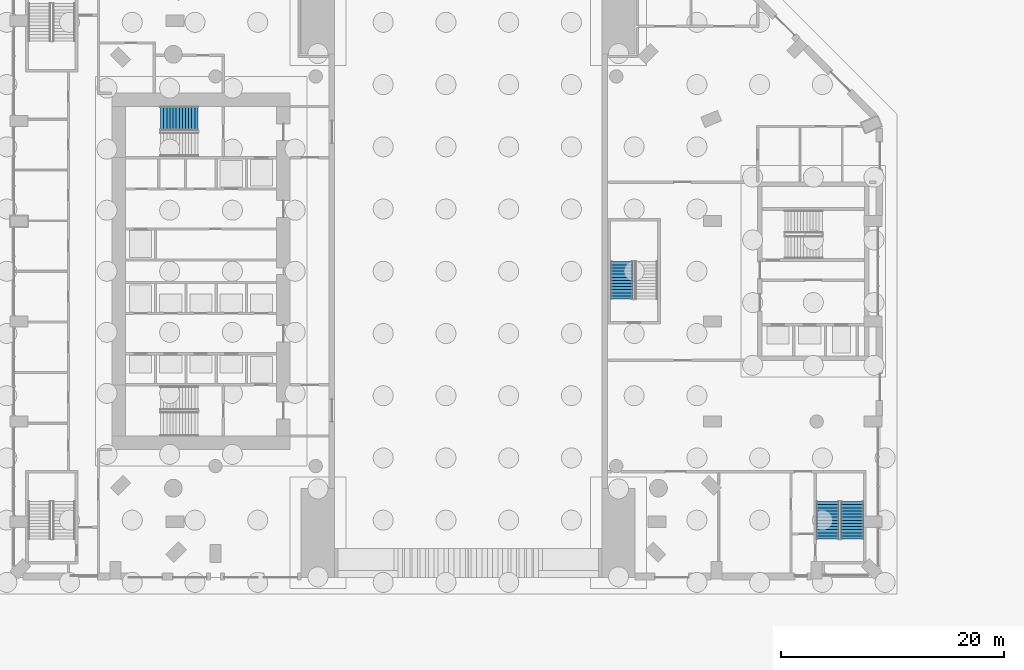
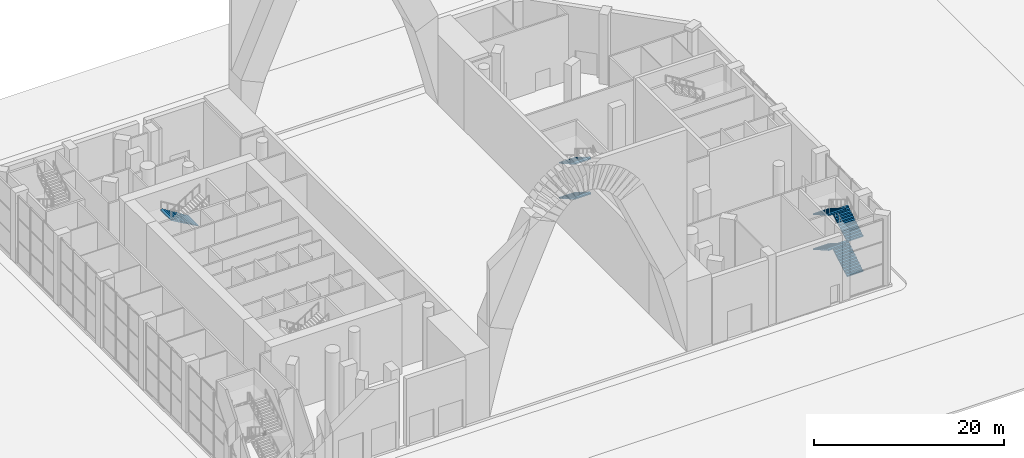
# One storey, part 17 of 25: 7 stair flights, 3 elements without a shape of their own.
"""IFC4 building model written with IfcOpenShell, lengths in metres."""

from ifc_helpers import new_model, si_unit, direction, frame, origin, place, context, subcontext, project, spatial, triangles, material, type_object, element, aggregate, save


model = new_model("IFC4")

# Units and contexts
model_context = context("Model", 3, precision=1e-05, world=origin(), true_north=direction((0.0, 1.0)))
body_context = subcontext(model_context, "Body", "Model", "MODEL_VIEW")
ifc_project = project(units=[si_unit("LENGTHUNIT", "METRE"), si_unit("AREAUNIT", "SQUARE_METRE"), si_unit("VOLUMEUNIT", "CUBIC_METRE"), si_unit("PLANEANGLEUNIT", "RADIAN"), si_unit("MASSUNIT", "GRAM", prefix="KILO")], contexts=[model_context])

# Site, building, storey
site_placement = place(None, origin())
site = spatial("IfcSite", under=ifc_project, at=site_placement, CompositionType="ELEMENT")
building_placement = place(site_placement, origin())
building = spatial("IfcBuilding", under=site, at=building_placement, Name="Cypress Arch Tower", CompositionType="ELEMENT")
storey_placement = place(building_placement, origin())
storey = spatial("IfcBuildingStorey", under=building, at=storey_placement, Name="L00", CompositionType="ELEMENT", Elevation=0.0)

# Stair, stair flights
ifc_material_1 = material(Name="Concrete C40/50", Category="concrete")
stair_type_1 = type_object("IfcStairType", Name="Exit stair ES1731-200", PredefinedType="HALF_TURN_STAIR", material=ifc_material_1)
stair_1_placement = place(storey_placement, origin())
stair_1 = element("IfcStair", 1, at=stair_1_placement, inside=storey, type_object=stair_type_1, Name="L00 Exit stair C", PredefinedType="HALF_TURN_STAIR")
ifc_material_2 = material(Name="Concrete C40/50", Category="concrete")
stair_flight_type_1 = type_object("IfcStairFlightType", Name="Exit stair flight ES1731-200", PredefinedType="STRAIGHT", material=ifc_material_2)
stair_flight_1_placement = place(storey_placement, frame((15.800048828125, 0.860107421875, 2.25), z_axis=(0.0, 0.0, 1.0), x_axis=(0.0, -1.0, 0.0)))
stair_flight_1 = element("IfcStairFlight", 2, at=stair_flight_1_placement, type_object=stair_flight_type_1, Name="C flight 2", NumberOfRisers=13, NumberOfTreads=12, PredefinedType="STRAIGHT", RiserHeight=0.173076923, TreadLength=0.28, context=body_context, shape_type="Tessellation", body=[
    triangles([(0.0, -1.0, 0.0), (0.00048828125, -1.0, 0.0576171875), (0.00048828125, -1.0, 0.115478515625), (0.0, -1.0, 0.173095703125), (0.280029296875, -1.0, 0.173095703125), (0.280029296875, -1.0, 0.34619140625), (0.56005859375, -1.0, 0.34619140625), (0.56005859375, -1.0, 0.519287109375), (0.840087890625, -1.0, 0.519287109375), (0.840087890625, -1.0, 0.6923828125), (1.1201171875, -1.0, 0.6923828125), (1.1201171875, -1.0, 0.865478515625), (1.39990234375, -1.0, 0.865478515625), (1.39990234375, -1.0, 1.03857421875), (1.679931640625, -1.0, 1.03857421875), (1.679931640625, -1.0, 1.21142578125), (1.9599609375, -1.0, 1.21142578125), (1.9599609375, -1.0, 1.384521484375), (2.239990234375, -1.0, 1.384521484375), (2.239990234375, -1.0, 1.5576171875), (2.52001953125, -1.0, 1.5576171875), (2.52001953125, -1.0, 1.730712890625), (2.800048828125, -1.0, 1.730712890625), (2.800048828125, -1.0, 1.90380859375), (3.080078125, -1.0, 1.90380859375), (3.080078125, -1.0, 2.076904296875), (3.360107421875, -1.0, 2.076904296875), (3.359619140625, -1.0, 2.01806640625), (3.359619140625, -1.0, 1.95947265625), (3.360107421875, -1.0, 1.900634765625), (3.360107421875, 1.0, 1.900634765625), (3.359619140625, 1.0, 1.95947265625), (3.359619140625, 1.0, 2.01806640625), (3.360107421875, 1.0, 2.076904296875), (3.080078125, 1.0, 2.076904296875), (3.080078125, 1.0, 1.90380859375), (2.800048828125, 1.0, 1.90380859375), (2.800048828125, 1.0, 1.730712890625), (2.52001953125, 1.0, 1.730712890625), (2.52001953125, 1.0, 1.5576171875), (2.239990234375, 1.0, 1.5576171875), (2.239990234375, 1.0, 1.384521484375), (1.9599609375, 1.0, 1.384521484375), (1.9599609375, 1.0, 1.21142578125), (1.679931640625, 1.0, 1.21142578125), (1.679931640625, 1.0, 1.03857421875), (1.39990234375, 1.0, 1.03857421875), (1.39990234375, 1.0, 0.865478515625), (1.1201171875, 1.0, 0.865478515625), (1.1201171875, 1.0, 0.6923828125), (0.840087890625, 1.0, 0.6923828125), (0.840087890625, 1.0, 0.519287109375), (0.56005859375, 1.0, 0.519287109375), (0.56005859375, 1.0, 0.34619140625), (0.280029296875, 1.0, 0.34619140625), (0.280029296875, 1.0, 0.173095703125), (0.0, 1.0, 0.173095703125), (0.00048828125, 1.0, 0.115478515625), (0.00048828125, 1.0, 0.0576171875), (0.0, 1.0, 0.0)], [[30, 29, 26], [29, 28, 26], [28, 27, 26], [13, 12, 11], [25, 24, 23], [23, 22, 21], [21, 20, 19], [19, 18, 17], [15, 14, 13], [11, 10, 9], [9, 8, 7], [7, 6, 5], [4, 3, 5], [3, 2, 5], [2, 1, 5], [17, 16, 15], [30, 26, 25], [30, 25, 23], [30, 23, 21], [30, 21, 19], [30, 19, 17], [1, 30, 17], [17, 15, 13], [17, 13, 11], [17, 11, 9], [17, 9, 7], [17, 7, 5], [17, 5, 1], [31, 35, 32], [32, 35, 33], [33, 35, 34], [48, 50, 49], [36, 38, 37], [38, 40, 39], [40, 42, 41], [42, 44, 43], [46, 48, 47], [50, 52, 51], [52, 54, 53], [54, 56, 55], [57, 56, 58], [58, 56, 59], [59, 56, 60], [44, 46, 45], [31, 36, 35], [31, 38, 36], [31, 40, 38], [31, 42, 40], [31, 44, 42], [60, 44, 31], [44, 48, 46], [44, 50, 48], [44, 52, 50], [44, 54, 52], [44, 56, 54], [44, 60, 56], [31, 32, 29], [31, 29, 30], [32, 33, 28], [32, 28, 29], [33, 34, 27], [33, 27, 28], [34, 35, 26], [34, 26, 27], [35, 36, 25], [35, 25, 26], [36, 37, 24], [36, 24, 25], [37, 38, 23], [37, 23, 24], [38, 39, 22], [38, 22, 23], [39, 40, 21], [39, 21, 22], [40, 41, 20], [40, 20, 21], [41, 42, 19], [41, 19, 20], [42, 43, 18], [42, 18, 19], [43, 44, 17], [43, 17, 18], [44, 45, 16], [44, 16, 17], [45, 46, 15], [45, 15, 16], [46, 47, 14], [46, 14, 15], [47, 48, 13], [47, 13, 14], [48, 49, 12], [48, 12, 13], [49, 50, 11], [49, 11, 12], [50, 51, 10], [50, 10, 11], [51, 52, 9], [51, 9, 10], [52, 53, 8], [52, 8, 9], [53, 54, 7], [53, 7, 8], [54, 55, 6], [54, 6, 7], [55, 56, 5], [55, 5, 6], [56, 57, 4], [56, 4, 5], [57, 58, 3], [57, 3, 4], [58, 59, 2], [58, 2, 3], [59, 60, 1], [59, 1, 2], [60, 31, 30], [60, 30, 1]], closed=True),
])
stair_flight_2_placement = place(storey_placement, frame((15.800048828125, 0.860107421875, 6.75), z_axis=(0.0, 0.0, 1.0), x_axis=(0.0, -1.0, 0.0)))
stair_flight_2 = element("IfcStairFlight", 3, at=stair_flight_2_placement, type_object=stair_flight_type_1, Name="C flight 4", NumberOfRisers=13, NumberOfTreads=12, PredefinedType="STRAIGHT", RiserHeight=0.173076923, TreadLength=0.28, context=body_context, shape_type="Tessellation", body=[
    triangles([(0.0, -1.0, 0.0), (0.00048828125, -1.0, 0.0576171875), (0.00048828125, -1.0, 0.115478515625), (0.0, -1.0, 0.173095703125), (0.280029296875, -1.0, 0.173095703125), (0.280029296875, -1.0, 0.34619140625), (0.56005859375, -1.0, 0.34619140625), (0.56005859375, -1.0, 0.519287109375), (0.840087890625, -1.0, 0.519287109375), (0.840087890625, -1.0, 0.6923828125), (1.1201171875, -1.0, 0.6923828125), (1.1201171875, -1.0, 0.865478515625), (1.39990234375, -1.0, 0.865478515625), (1.39990234375, -1.0, 1.03857421875), (1.679931640625, -1.0, 1.03857421875), (1.679931640625, -1.0, 1.21142578125), (1.9599609375, -1.0, 1.21142578125), (1.9599609375, -1.0, 1.384521484375), (2.239990234375, -1.0, 1.384521484375), (2.239990234375, -1.0, 1.5576171875), (2.52001953125, -1.0, 1.5576171875), (2.52001953125, -1.0, 1.730712890625), (2.800048828125, -1.0, 1.730712890625), (2.800048828125, -1.0, 1.90380859375), (3.080078125, -1.0, 1.90380859375), (3.080078125, -1.0, 2.076904296875), (3.360107421875, -1.0, 2.076904296875), (3.359619140625, -1.0, 2.01806640625), (3.359619140625, -1.0, 1.95947265625), (3.360107421875, -1.0, 1.900634765625), (3.360107421875, 1.0, 1.900634765625), (3.359619140625, 1.0, 1.95947265625), (3.359619140625, 1.0, 2.01806640625), (3.360107421875, 1.0, 2.076904296875), (3.080078125, 1.0, 2.076904296875), (3.080078125, 1.0, 1.90380859375), (2.800048828125, 1.0, 1.90380859375), (2.800048828125, 1.0, 1.730712890625), (2.52001953125, 1.0, 1.730712890625), (2.52001953125, 1.0, 1.5576171875), (2.239990234375, 1.0, 1.5576171875), (2.239990234375, 1.0, 1.384521484375), (1.9599609375, 1.0, 1.384521484375), (1.9599609375, 1.0, 1.21142578125), (1.679931640625, 1.0, 1.21142578125), (1.679931640625, 1.0, 1.03857421875), (1.39990234375, 1.0, 1.03857421875), (1.39990234375, 1.0, 0.865478515625), (1.1201171875, 1.0, 0.865478515625), (1.1201171875, 1.0, 0.6923828125), (0.840087890625, 1.0, 0.6923828125), (0.840087890625, 1.0, 0.519287109375), (0.56005859375, 1.0, 0.519287109375), (0.56005859375, 1.0, 0.34619140625), (0.280029296875, 1.0, 0.34619140625), (0.280029296875, 1.0, 0.173095703125), (0.0, 1.0, 0.173095703125), (0.00048828125, 1.0, 0.115478515625), (0.00048828125, 1.0, 0.0576171875), (0.0, 1.0, 0.0)], [[30, 29, 26], [29, 28, 26], [28, 27, 26], [13, 12, 11], [25, 24, 23], [23, 22, 21], [21, 20, 19], [19, 18, 17], [15, 14, 13], [11, 10, 9], [9, 8, 7], [7, 6, 5], [4, 3, 5], [3, 2, 5], [2, 1, 5], [17, 16, 15], [30, 26, 25], [30, 25, 23], [30, 23, 21], [30, 21, 19], [30, 19, 17], [1, 30, 17], [17, 15, 13], [17, 13, 11], [17, 11, 9], [17, 9, 7], [17, 7, 5], [17, 5, 1], [31, 35, 32], [32, 35, 33], [33, 35, 34], [48, 50, 49], [36, 38, 37], [38, 40, 39], [40, 42, 41], [42, 44, 43], [46, 48, 47], [50, 52, 51], [52, 54, 53], [54, 56, 55], [57, 56, 58], [58, 56, 59], [59, 56, 60], [44, 46, 45], [31, 36, 35], [31, 38, 36], [31, 40, 38], [31, 42, 40], [31, 44, 42], [60, 44, 31], [44, 48, 46], [44, 50, 48], [44, 52, 50], [44, 54, 52], [44, 56, 54], [44, 60, 56], [31, 32, 29], [31, 29, 30], [32, 33, 28], [32, 28, 29], [33, 34, 27], [33, 27, 28], [34, 35, 26], [34, 26, 27], [35, 36, 25], [35, 25, 26], [36, 37, 24], [36, 24, 25], [37, 38, 23], [37, 23, 24], [38, 39, 22], [38, 22, 23], [39, 40, 21], [39, 21, 22], [40, 41, 20], [40, 20, 21], [41, 42, 19], [41, 19, 20], [42, 43, 18], [42, 18, 19], [43, 44, 17], [43, 17, 18], [44, 45, 16], [44, 16, 17], [45, 46, 15], [45, 15, 16], [46, 47, 14], [46, 14, 15], [47, 48, 13], [47, 13, 14], [48, 49, 12], [48, 12, 13], [49, 50, 11], [49, 11, 12], [50, 51, 10], [50, 10, 11], [51, 52, 9], [51, 9, 10], [52, 53, 8], [52, 8, 9], [53, 54, 7], [53, 7, 8], [54, 55, 6], [54, 6, 7], [55, 56, 5], [55, 5, 6], [56, 57, 4], [56, 4, 5], [57, 58, 3], [57, 3, 4], [58, 59, 2], [58, 2, 3], [59, 60, 1], [59, 1, 2], [60, 31, 30], [60, 30, 1]], closed=True),
])
aggregate(stair_1, [stair_flight_1, stair_flight_2])

stair_2_placement = place(storey_placement, origin())
stair_2 = element("IfcStair", 4, at=stair_2_placement, inside=storey, type_object=stair_type_1, Name="L00 Exit stair P4", PredefinedType="HALF_TURN_STAIR")
stair_flight_3_placement = place(storey_placement, frame((36.5, -24.050048828125, 0.0), z_axis=(0.0, 0.0, 1.0), x_axis=(0.0, 1.0, 0.0)))
stair_flight_3 = element("IfcStairFlight", 5, at=stair_flight_3_placement, type_object=stair_flight_type_1, Name="P4 flight 1", NumberOfRisers=13, NumberOfTreads=12, PredefinedType="STRAIGHT", RiserHeight=0.173076923, TreadLength=0.28, context=body_context, shape_type="Tessellation", body=[
    triangles([(0.0, -1.0, 0.0), (0.00048828125, -1.0, 0.0576171875), (0.00048828125, -1.0, 0.115478515625), (0.0, -1.0, 0.173095703125), (0.280029296875, -1.0, 0.173095703125), (0.280029296875, -1.0, 0.34619140625), (0.56005859375, -1.0, 0.34619140625), (0.56005859375, -1.0, 0.519287109375), (0.840087890625, -1.0, 0.519287109375), (0.840087890625, -1.0, 0.6923828125), (1.1201171875, -1.0, 0.6923828125), (1.1201171875, -1.0, 0.865478515625), (1.39990234375, -1.0, 0.865478515625), (1.39990234375, -1.0, 1.03857421875), (1.679931640625, -1.0, 1.03857421875), (1.679931640625, -1.0, 1.21142578125), (1.9599609375, -1.0, 1.21142578125), (1.9599609375, -1.0, 1.384521484375), (2.239990234375, -1.0, 1.384521484375), (2.239990234375, -1.0, 1.5576171875), (2.52001953125, -1.0, 1.5576171875), (2.52001953125, -1.0, 1.730712890625), (2.800048828125, -1.0, 1.730712890625), (2.800048828125, -1.0, 1.90380859375), (3.080078125, -1.0, 1.90380859375), (3.080078125, -1.0, 2.076904296875), (3.360107421875, -1.0, 2.076904296875), (3.359619140625, -1.0, 2.01806640625), (3.359619140625, -1.0, 1.95947265625), (3.360107421875, -1.0, 1.900634765625), (3.360107421875, 1.0, 1.900634765625), (3.359619140625, 1.0, 1.95947265625), (3.359619140625, 1.0, 2.01806640625), (3.360107421875, 1.0, 2.076904296875), (3.080078125, 1.0, 2.076904296875), (3.080078125, 1.0, 1.90380859375), (2.800048828125, 1.0, 1.90380859375), (2.800048828125, 1.0, 1.730712890625), (2.52001953125, 1.0, 1.730712890625), (2.52001953125, 1.0, 1.5576171875), (2.239990234375, 1.0, 1.5576171875), (2.239990234375, 1.0, 1.384521484375), (1.9599609375, 1.0, 1.384521484375), (1.9599609375, 1.0, 1.21142578125), (1.679931640625, 1.0, 1.21142578125), (1.679931640625, 1.0, 1.03857421875), (1.39990234375, 1.0, 1.03857421875), (1.39990234375, 1.0, 0.865478515625), (1.1201171875, 1.0, 0.865478515625), (1.1201171875, 1.0, 0.6923828125), (0.840087890625, 1.0, 0.6923828125), (0.840087890625, 1.0, 0.519287109375), (0.56005859375, 1.0, 0.519287109375), (0.56005859375, 1.0, 0.34619140625), (0.280029296875, 1.0, 0.34619140625), (0.280029296875, 1.0, 0.173095703125), (0.0, 1.0, 0.173095703125), (0.00048828125, 1.0, 0.115478515625), (0.00048828125, 1.0, 0.0576171875), (0.0, 1.0, 0.0)], [[30, 29, 26], [29, 28, 26], [28, 27, 26], [13, 12, 11], [25, 24, 23], [23, 22, 21], [21, 20, 19], [19, 18, 17], [15, 14, 13], [11, 10, 9], [9, 8, 7], [7, 6, 5], [4, 3, 5], [3, 2, 5], [2, 1, 5], [17, 16, 15], [30, 26, 25], [30, 25, 23], [30, 23, 21], [30, 21, 19], [30, 19, 17], [1, 30, 17], [17, 15, 13], [17, 13, 11], [17, 11, 9], [17, 9, 7], [17, 7, 5], [17, 5, 1], [31, 35, 32], [32, 35, 33], [33, 35, 34], [48, 50, 49], [36, 38, 37], [38, 40, 39], [40, 42, 41], [42, 44, 43], [46, 48, 47], [50, 52, 51], [52, 54, 53], [54, 56, 55], [57, 56, 58], [58, 56, 59], [59, 56, 60], [44, 46, 45], [31, 36, 35], [31, 38, 36], [31, 40, 38], [31, 42, 40], [31, 44, 42], [60, 44, 31], [44, 48, 46], [44, 50, 48], [44, 52, 50], [44, 54, 52], [44, 56, 54], [44, 60, 56], [31, 32, 29], [31, 29, 30], [32, 33, 28], [32, 28, 29], [33, 34, 27], [33, 27, 28], [34, 35, 26], [34, 26, 27], [35, 36, 25], [35, 25, 26], [36, 37, 24], [36, 24, 25], [37, 38, 23], [37, 23, 24], [38, 39, 22], [38, 22, 23], [39, 40, 21], [39, 21, 22], [40, 41, 20], [40, 20, 21], [41, 42, 19], [41, 19, 20], [42, 43, 18], [42, 18, 19], [43, 44, 17], [43, 17, 18], [44, 45, 16], [44, 16, 17], [45, 46, 15], [45, 15, 16], [46, 47, 14], [46, 14, 15], [47, 48, 13], [47, 13, 14], [48, 49, 12], [48, 12, 13], [49, 50, 11], [49, 11, 12], [50, 51, 10], [50, 10, 11], [51, 52, 9], [51, 9, 10], [52, 53, 8], [52, 8, 9], [53, 54, 7], [53, 7, 8], [54, 55, 6], [54, 6, 7], [55, 56, 5], [55, 5, 6], [56, 57, 4], [56, 4, 5], [57, 58, 3], [57, 3, 4], [58, 59, 2], [58, 2, 3], [59, 60, 1], [59, 1, 2], [60, 31, 30], [60, 30, 1]], closed=True),
])
stair_flight_4_placement = place(storey_placement, frame((34.300048828125, -20.68994140625, 2.25), z_axis=(0.0, 0.0, 1.0), x_axis=(0.0, -1.0, 0.0)))
stair_flight_4 = element("IfcStairFlight", 6, at=stair_flight_4_placement, type_object=stair_flight_type_1, Name="P4 flight 2", NumberOfRisers=13, NumberOfTreads=12, PredefinedType="STRAIGHT", RiserHeight=0.173076923, TreadLength=0.28, context=body_context, shape_type="Tessellation", body=[
    triangles([(0.0, -1.0, 0.0), (0.00048828125, -1.0, 0.0576171875), (0.00048828125, -1.0, 0.115478515625), (0.0, -1.0, 0.173095703125), (0.280029296875, -1.0, 0.173095703125), (0.280029296875, -1.0, 0.34619140625), (0.56005859375, -1.0, 0.34619140625), (0.56005859375, -1.0, 0.519287109375), (0.840087890625, -1.0, 0.519287109375), (0.840087890625, -1.0, 0.6923828125), (1.1201171875, -1.0, 0.6923828125), (1.1201171875, -1.0, 0.865478515625), (1.39990234375, -1.0, 0.865478515625), (1.39990234375, -1.0, 1.03857421875), (1.679931640625, -1.0, 1.03857421875), (1.679931640625, -1.0, 1.21142578125), (1.9599609375, -1.0, 1.21142578125), (1.9599609375, -1.0, 1.384521484375), (2.239990234375, -1.0, 1.384521484375), (2.239990234375, -1.0, 1.5576171875), (2.52001953125, -1.0, 1.5576171875), (2.52001953125, -1.0, 1.730712890625), (2.800048828125, -1.0, 1.730712890625), (2.800048828125, -1.0, 1.90380859375), (3.080078125, -1.0, 1.90380859375), (3.080078125, -1.0, 2.076904296875), (3.360107421875, -1.0, 2.076904296875), (3.359619140625, -1.0, 2.01806640625), (3.359619140625, -1.0, 1.95947265625), (3.360107421875, -1.0, 1.900634765625), (3.360107421875, 1.0, 1.900634765625), (3.359619140625, 1.0, 1.95947265625), (3.359619140625, 1.0, 2.01806640625), (3.360107421875, 1.0, 2.076904296875), (3.080078125, 1.0, 2.076904296875), (3.080078125, 1.0, 1.90380859375), (2.800048828125, 1.0, 1.90380859375), (2.800048828125, 1.0, 1.730712890625), (2.52001953125, 1.0, 1.730712890625), (2.52001953125, 1.0, 1.5576171875), (2.239990234375, 1.0, 1.5576171875), (2.239990234375, 1.0, 1.384521484375), (1.9599609375, 1.0, 1.384521484375), (1.9599609375, 1.0, 1.21142578125), (1.679931640625, 1.0, 1.21142578125), (1.679931640625, 1.0, 1.03857421875), (1.39990234375, 1.0, 1.03857421875), (1.39990234375, 1.0, 0.865478515625), (1.1201171875, 1.0, 0.865478515625), (1.1201171875, 1.0, 0.6923828125), (0.840087890625, 1.0, 0.6923828125), (0.840087890625, 1.0, 0.519287109375), (0.56005859375, 1.0, 0.519287109375), (0.56005859375, 1.0, 0.34619140625), (0.280029296875, 1.0, 0.34619140625), (0.280029296875, 1.0, 0.173095703125), (0.0, 1.0, 0.173095703125), (0.00048828125, 1.0, 0.115478515625), (0.00048828125, 1.0, 0.0576171875), (0.0, 1.0, 0.0)], [[30, 29, 26], [29, 28, 26], [28, 27, 26], [13, 12, 11], [25, 24, 23], [23, 22, 21], [21, 20, 19], [19, 18, 17], [15, 14, 13], [11, 10, 9], [9, 8, 7], [7, 6, 5], [4, 3, 5], [3, 2, 5], [2, 1, 5], [17, 16, 15], [30, 26, 25], [30, 25, 23], [30, 23, 21], [30, 21, 19], [30, 19, 17], [1, 30, 17], [17, 15, 13], [17, 13, 11], [17, 11, 9], [17, 9, 7], [17, 7, 5], [17, 5, 1], [31, 35, 32], [32, 35, 33], [33, 35, 34], [48, 50, 49], [36, 38, 37], [38, 40, 39], [40, 42, 41], [42, 44, 43], [46, 48, 47], [50, 52, 51], [52, 54, 53], [54, 56, 55], [57, 56, 58], [58, 56, 59], [59, 56, 60], [44, 46, 45], [31, 36, 35], [31, 38, 36], [31, 40, 38], [31, 42, 40], [31, 44, 42], [60, 44, 31], [44, 48, 46], [44, 50, 48], [44, 52, 50], [44, 54, 52], [44, 56, 54], [44, 60, 56], [31, 32, 29], [31, 29, 30], [32, 33, 28], [32, 28, 29], [33, 34, 27], [33, 27, 28], [34, 35, 26], [34, 26, 27], [35, 36, 25], [35, 25, 26], [36, 37, 24], [36, 24, 25], [37, 38, 23], [37, 23, 24], [38, 39, 22], [38, 22, 23], [39, 40, 21], [39, 21, 22], [40, 41, 20], [40, 20, 21], [41, 42, 19], [41, 19, 20], [42, 43, 18], [42, 18, 19], [43, 44, 17], [43, 17, 18], [44, 45, 16], [44, 16, 17], [45, 46, 15], [45, 15, 16], [46, 47, 14], [46, 14, 15], [47, 48, 13], [47, 13, 14], [48, 49, 12], [48, 12, 13], [49, 50, 11], [49, 11, 12], [50, 51, 10], [50, 10, 11], [51, 52, 9], [51, 9, 10], [52, 53, 8], [52, 8, 9], [53, 54, 7], [53, 7, 8], [54, 55, 6], [54, 6, 7], [55, 56, 5], [55, 5, 6], [56, 57, 4], [56, 4, 5], [57, 58, 3], [57, 3, 4], [58, 59, 2], [58, 2, 3], [59, 60, 1], [59, 1, 2], [60, 31, 30], [60, 30, 1]], closed=True),
])
stair_flight_5_placement = place(storey_placement, frame((36.5, -24.050048828125, 4.5), z_axis=(0.0, 0.0, 1.0), x_axis=(0.0, 1.0, 0.0)))
stair_flight_5 = element("IfcStairFlight", 7, at=stair_flight_5_placement, type_object=stair_flight_type_1, Name="P4 flight 3", NumberOfRisers=13, NumberOfTreads=12, PredefinedType="STRAIGHT", RiserHeight=0.173076923, TreadLength=0.28, context=body_context, shape_type="Tessellation", body=[
    triangles([(0.0, -1.0, 0.0), (0.00048828125, -1.0, 0.0576171875), (0.00048828125, -1.0, 0.115478515625), (0.0, -1.0, 0.173095703125), (0.280029296875, -1.0, 0.173095703125), (0.280029296875, -1.0, 0.34619140625), (0.56005859375, -1.0, 0.34619140625), (0.56005859375, -1.0, 0.519287109375), (0.840087890625, -1.0, 0.519287109375), (0.840087890625, -1.0, 0.6923828125), (1.1201171875, -1.0, 0.6923828125), (1.1201171875, -1.0, 0.865478515625), (1.39990234375, -1.0, 0.865478515625), (1.39990234375, -1.0, 1.03857421875), (1.679931640625, -1.0, 1.03857421875), (1.679931640625, -1.0, 1.21142578125), (1.9599609375, -1.0, 1.21142578125), (1.9599609375, -1.0, 1.384521484375), (2.239990234375, -1.0, 1.384521484375), (2.239990234375, -1.0, 1.5576171875), (2.52001953125, -1.0, 1.5576171875), (2.52001953125, -1.0, 1.730712890625), (2.800048828125, -1.0, 1.730712890625), (2.800048828125, -1.0, 1.90380859375), (3.080078125, -1.0, 1.90380859375), (3.080078125, -1.0, 2.076904296875), (3.360107421875, -1.0, 2.076904296875), (3.359619140625, -1.0, 2.01806640625), (3.359619140625, -1.0, 1.95947265625), (3.360107421875, -1.0, 1.900634765625), (3.360107421875, 1.0, 1.900634765625), (3.359619140625, 1.0, 1.95947265625), (3.359619140625, 1.0, 2.01806640625), (3.360107421875, 1.0, 2.076904296875), (3.080078125, 1.0, 2.076904296875), (3.080078125, 1.0, 1.90380859375), (2.800048828125, 1.0, 1.90380859375), (2.800048828125, 1.0, 1.730712890625), (2.52001953125, 1.0, 1.730712890625), (2.52001953125, 1.0, 1.5576171875), (2.239990234375, 1.0, 1.5576171875), (2.239990234375, 1.0, 1.384521484375), (1.9599609375, 1.0, 1.384521484375), (1.9599609375, 1.0, 1.21142578125), (1.679931640625, 1.0, 1.21142578125), (1.679931640625, 1.0, 1.03857421875), (1.39990234375, 1.0, 1.03857421875), (1.39990234375, 1.0, 0.865478515625), (1.1201171875, 1.0, 0.865478515625), (1.1201171875, 1.0, 0.6923828125), (0.840087890625, 1.0, 0.6923828125), (0.840087890625, 1.0, 0.519287109375), (0.56005859375, 1.0, 0.519287109375), (0.56005859375, 1.0, 0.34619140625), (0.280029296875, 1.0, 0.34619140625), (0.280029296875, 1.0, 0.173095703125), (0.0, 1.0, 0.173095703125), (0.00048828125, 1.0, 0.115478515625), (0.00048828125, 1.0, 0.0576171875), (0.0, 1.0, 0.0)], [[30, 29, 26], [29, 28, 26], [28, 27, 26], [13, 12, 11], [25, 24, 23], [23, 22, 21], [21, 20, 19], [19, 18, 17], [15, 14, 13], [11, 10, 9], [9, 8, 7], [7, 6, 5], [4, 3, 5], [3, 2, 5], [2, 1, 5], [17, 16, 15], [30, 26, 25], [30, 25, 23], [30, 23, 21], [30, 21, 19], [30, 19, 17], [1, 30, 17], [17, 15, 13], [17, 13, 11], [17, 11, 9], [17, 9, 7], [17, 7, 5], [17, 5, 1], [31, 35, 32], [32, 35, 33], [33, 35, 34], [48, 50, 49], [36, 38, 37], [38, 40, 39], [40, 42, 41], [42, 44, 43], [46, 48, 47], [50, 52, 51], [52, 54, 53], [54, 56, 55], [57, 56, 58], [58, 56, 59], [59, 56, 60], [44, 46, 45], [31, 36, 35], [31, 38, 36], [31, 40, 38], [31, 42, 40], [31, 44, 42], [60, 44, 31], [44, 48, 46], [44, 50, 48], [44, 52, 50], [44, 54, 52], [44, 56, 54], [44, 60, 56], [31, 32, 29], [31, 29, 30], [32, 33, 28], [32, 28, 29], [33, 34, 27], [33, 27, 28], [34, 35, 26], [34, 26, 27], [35, 36, 25], [35, 25, 26], [36, 37, 24], [36, 24, 25], [37, 38, 23], [37, 23, 24], [38, 39, 22], [38, 22, 23], [39, 40, 21], [39, 21, 22], [40, 41, 20], [40, 20, 21], [41, 42, 19], [41, 19, 20], [42, 43, 18], [42, 18, 19], [43, 44, 17], [43, 17, 18], [44, 45, 16], [44, 16, 17], [45, 46, 15], [45, 15, 16], [46, 47, 14], [46, 14, 15], [47, 48, 13], [47, 13, 14], [48, 49, 12], [48, 12, 13], [49, 50, 11], [49, 11, 12], [50, 51, 10], [50, 10, 11], [51, 52, 9], [51, 9, 10], [52, 53, 8], [52, 8, 9], [53, 54, 7], [53, 7, 8], [54, 55, 6], [54, 6, 7], [55, 56, 5], [55, 5, 6], [56, 57, 4], [56, 4, 5], [57, 58, 3], [57, 3, 4], [58, 59, 2], [58, 2, 3], [59, 60, 1], [59, 1, 2], [60, 31, 30], [60, 30, 1]], closed=True),
])
stair_flight_6_placement = place(storey_placement, frame((34.300048828125, -20.68994140625, 6.75), z_axis=(0.0, 0.0, 1.0), x_axis=(0.0, -1.0, 0.0)))
stair_flight_6 = element("IfcStairFlight", 8, at=stair_flight_6_placement, type_object=stair_flight_type_1, Name="P4 flight 4", NumberOfRisers=13, NumberOfTreads=12, PredefinedType="STRAIGHT", RiserHeight=0.173076923, TreadLength=0.28, context=body_context, shape_type="Tessellation", body=[
    triangles([(0.0, -1.0, 0.0), (0.00048828125, -1.0, 0.0576171875), (0.00048828125, -1.0, 0.115478515625), (0.0, -1.0, 0.173095703125), (0.280029296875, -1.0, 0.173095703125), (0.280029296875, -1.0, 0.34619140625), (0.56005859375, -1.0, 0.34619140625), (0.56005859375, -1.0, 0.519287109375), (0.840087890625, -1.0, 0.519287109375), (0.840087890625, -1.0, 0.6923828125), (1.1201171875, -1.0, 0.6923828125), (1.1201171875, -1.0, 0.865478515625), (1.39990234375, -1.0, 0.865478515625), (1.39990234375, -1.0, 1.03857421875), (1.679931640625, -1.0, 1.03857421875), (1.679931640625, -1.0, 1.21142578125), (1.9599609375, -1.0, 1.21142578125), (1.9599609375, -1.0, 1.384521484375), (2.239990234375, -1.0, 1.384521484375), (2.239990234375, -1.0, 1.5576171875), (2.52001953125, -1.0, 1.5576171875), (2.52001953125, -1.0, 1.730712890625), (2.800048828125, -1.0, 1.730712890625), (2.800048828125, -1.0, 1.90380859375), (3.080078125, -1.0, 1.90380859375), (3.080078125, -1.0, 2.076904296875), (3.360107421875, -1.0, 2.076904296875), (3.359619140625, -1.0, 2.01806640625), (3.359619140625, -1.0, 1.95947265625), (3.360107421875, -1.0, 1.900634765625), (3.360107421875, 1.0, 1.900634765625), (3.359619140625, 1.0, 1.95947265625), (3.359619140625, 1.0, 2.01806640625), (3.360107421875, 1.0, 2.076904296875), (3.080078125, 1.0, 2.076904296875), (3.080078125, 1.0, 1.90380859375), (2.800048828125, 1.0, 1.90380859375), (2.800048828125, 1.0, 1.730712890625), (2.52001953125, 1.0, 1.730712890625), (2.52001953125, 1.0, 1.5576171875), (2.239990234375, 1.0, 1.5576171875), (2.239990234375, 1.0, 1.384521484375), (1.9599609375, 1.0, 1.384521484375), (1.9599609375, 1.0, 1.21142578125), (1.679931640625, 1.0, 1.21142578125), (1.679931640625, 1.0, 1.03857421875), (1.39990234375, 1.0, 1.03857421875), (1.39990234375, 1.0, 0.865478515625), (1.1201171875, 1.0, 0.865478515625), (1.1201171875, 1.0, 0.6923828125), (0.840087890625, 1.0, 0.6923828125), (0.840087890625, 1.0, 0.519287109375), (0.56005859375, 1.0, 0.519287109375), (0.56005859375, 1.0, 0.34619140625), (0.280029296875, 1.0, 0.34619140625), (0.280029296875, 1.0, 0.173095703125), (0.0, 1.0, 0.173095703125), (0.00048828125, 1.0, 0.115478515625), (0.00048828125, 1.0, 0.0576171875), (0.0, 1.0, 0.0)], [[30, 29, 26], [29, 28, 26], [28, 27, 26], [13, 12, 11], [25, 24, 23], [23, 22, 21], [21, 20, 19], [19, 18, 17], [15, 14, 13], [11, 10, 9], [9, 8, 7], [7, 6, 5], [4, 3, 5], [3, 2, 5], [2, 1, 5], [17, 16, 15], [30, 26, 25], [30, 25, 23], [30, 23, 21], [30, 21, 19], [30, 19, 17], [1, 30, 17], [17, 15, 13], [17, 13, 11], [17, 11, 9], [17, 9, 7], [17, 7, 5], [17, 5, 1], [31, 35, 32], [32, 35, 33], [33, 35, 34], [48, 50, 49], [36, 38, 37], [38, 40, 39], [40, 42, 41], [42, 44, 43], [46, 48, 47], [50, 52, 51], [52, 54, 53], [54, 56, 55], [57, 56, 58], [58, 56, 59], [59, 56, 60], [44, 46, 45], [31, 36, 35], [31, 38, 36], [31, 40, 38], [31, 42, 40], [31, 44, 42], [60, 44, 31], [44, 48, 46], [44, 50, 48], [44, 52, 50], [44, 54, 52], [44, 56, 54], [44, 60, 56], [31, 32, 29], [31, 29, 30], [32, 33, 28], [32, 28, 29], [33, 34, 27], [33, 27, 28], [34, 35, 26], [34, 26, 27], [35, 36, 25], [35, 25, 26], [36, 37, 24], [36, 24, 25], [37, 38, 23], [37, 23, 24], [38, 39, 22], [38, 22, 23], [39, 40, 21], [39, 21, 22], [40, 41, 20], [40, 20, 21], [41, 42, 19], [41, 19, 20], [42, 43, 18], [42, 18, 19], [43, 44, 17], [43, 17, 18], [44, 45, 16], [44, 16, 17], [45, 46, 15], [45, 15, 16], [46, 47, 14], [46, 14, 15], [47, 48, 13], [47, 13, 14], [48, 49, 12], [48, 12, 13], [49, 50, 11], [49, 11, 12], [50, 51, 10], [50, 10, 11], [51, 52, 9], [51, 9, 10], [52, 53, 8], [52, 8, 9], [53, 54, 7], [53, 7, 8], [54, 55, 6], [54, 6, 7], [55, 56, 5], [55, 5, 6], [56, 57, 4], [56, 4, 5], [57, 58, 3], [57, 3, 4], [58, 59, 2], [58, 2, 3], [59, 60, 1], [59, 1, 2], [60, 31, 30], [60, 30, 1]], closed=True),
])
aggregate(stair_2, [stair_flight_3, stair_flight_4, stair_flight_5, stair_flight_6])

# Stair, stair flight
ifc_material_3 = material(Name="Concrete C40/50", Category="concrete")
stair_type_2 = type_object("IfcStairType", Name="Exit stair ES1731-215", PredefinedType="HALF_TURN_STAIR", material=ifc_material_3)
stair_3_placement = place(storey_placement, origin())
stair_3 = element("IfcStair", 9, at=stair_3_placement, inside=storey, type_object=stair_type_2, Name="L00 Exit stair B", PredefinedType="HALF_TURN_STAIR")
ifc_material_4 = material(Name="Concrete C40/50", Category="concrete")
stair_flight_type_2 = type_object("IfcStairFlightType", Name="Exit stair flight ES1731-215", PredefinedType="STRAIGHT", material=ifc_material_4)
stair_flight_7_placement = place(storey_placement, frame((-22.27490234375, 13.72509765625, 4.5), z_axis=(0.0, 0.0, 1.0), x_axis=(-1.0, 0.0, 0.0)))
stair_flight_7 = element("IfcStairFlight", 10, at=stair_flight_7_placement, type_object=stair_flight_type_2, Name="B flight 3", NumberOfRisers=13, NumberOfTreads=12, PredefinedType="STRAIGHT", RiserHeight=0.173076923, TreadLength=0.28, context=body_context, shape_type="Tessellation", body=[
    triangles([(0.0, -1.074951171875, 0.0), (0.000244140625, -1.074951171875, 0.03466796875), (0.00048828125, -1.074951171875, 0.0693359375), (0.00048828125, -1.074951171875, 0.103759765625), (0.000244140625, -1.074951171875, 0.138427734375), (0.0, -1.074951171875, 0.173095703125), (0.280029296875, -1.074951171875, 0.173095703125), (0.280029296875, -1.074951171875, 0.34619140625), (0.56005859375, -1.074951171875, 0.34619140625), (0.56005859375, -1.074951171875, 0.519287109375), (0.840087890625, -1.074951171875, 0.519287109375), (0.840087890625, -1.074951171875, 0.6923828125), (1.1201171875, -1.074951171875, 0.6923828125), (1.1201171875, -1.074951171875, 0.865478515625), (1.39990234375, -1.074951171875, 0.865478515625), (1.39990234375, -1.074951171875, 1.03857421875), (1.679931640625, -1.074951171875, 1.03857421875), (1.679931640625, -1.074951171875, 1.21142578125), (1.9599609375, -1.074951171875, 1.21142578125), (1.9599609375, -1.074951171875, 1.384521484375), (2.239990234375, -1.074951171875, 1.384521484375), (2.239990234375, -1.074951171875, 1.5576171875), (2.52001953125, -1.074951171875, 1.5576171875), (2.52001953125, -1.074951171875, 1.730712890625), (2.800048828125, -1.074951171875, 1.730712890625), (2.800048828125, -1.074951171875, 1.90380859375), (3.080078125, -1.074951171875, 1.90380859375), (3.080078125, -1.074951171875, 2.076904296875), (3.360107421875, -1.074951171875, 2.076904296875), (3.35986328125, -1.074951171875, 2.041748046875), (3.359619140625, -1.074951171875, 2.00634765625), (3.359619140625, -1.074951171875, 1.97119140625), (3.35986328125, -1.074951171875, 1.935791015625), (3.360107421875, -1.074951171875, 1.900634765625), (3.360107421875, 1.074951171875, 1.900634765625), (3.35986328125, 1.074951171875, 1.935791015625), (3.359619140625, 1.074951171875, 1.97119140625), (3.359619140625, 1.074951171875, 2.00634765625), (3.35986328125, 1.074951171875, 2.041748046875), (3.360107421875, 1.074951171875, 2.076904296875), (3.080078125, 1.074951171875, 2.076904296875), (3.080078125, 1.074951171875, 1.90380859375), (2.800048828125, 1.074951171875, 1.90380859375), (2.800048828125, 1.074951171875, 1.730712890625), (2.52001953125, 1.074951171875, 1.730712890625), (2.52001953125, 1.074951171875, 1.5576171875), (2.239990234375, 1.074951171875, 1.5576171875), (2.239990234375, 1.074951171875, 1.384521484375), (1.9599609375, 1.074951171875, 1.384521484375), (1.9599609375, 1.074951171875, 1.21142578125), (1.679931640625, 1.074951171875, 1.21142578125), (1.679931640625, 1.074951171875, 1.03857421875), (1.39990234375, 1.074951171875, 1.03857421875), (1.39990234375, 1.074951171875, 0.865478515625), (1.1201171875, 1.074951171875, 0.865478515625), (1.1201171875, 1.074951171875, 0.6923828125), (0.840087890625, 1.074951171875, 0.6923828125), (0.840087890625, 1.074951171875, 0.519287109375), (0.56005859375, 1.074951171875, 0.519287109375), (0.56005859375, 1.074951171875, 0.34619140625), (0.280029296875, 1.074951171875, 0.34619140625), (0.280029296875, 1.074951171875, 0.173095703125), (0.0, 1.074951171875, 0.173095703125), (0.000244140625, 1.074951171875, 0.138427734375), (0.00048828125, 1.074951171875, 0.103759765625), (0.00048828125, 1.074951171875, 0.0693359375), (0.000244140625, 1.074951171875, 0.03466796875), (0.0, 1.074951171875, 0.0)], [[34, 33, 28], [33, 32, 28], [32, 31, 28], [31, 30, 28], [30, 29, 28], [15, 14, 13], [27, 26, 25], [25, 24, 23], [23, 22, 21], [21, 20, 19], [17, 16, 15], [13, 12, 11], [11, 10, 9], [9, 8, 7], [6, 5, 7], [5, 4, 7], [4, 3, 7], [3, 2, 7], [2, 1, 7], [19, 18, 17], [34, 28, 27], [34, 27, 25], [34, 25, 23], [34, 23, 21], [34, 21, 19], [1, 34, 19], [19, 17, 15], [19, 15, 13], [19, 13, 11], [19, 11, 9], [19, 9, 7], [19, 7, 1], [35, 41, 36], [36, 41, 37], [37, 41, 38], [38, 41, 39], [39, 41, 40], [54, 56, 55], [42, 44, 43], [44, 46, 45], [46, 48, 47], [48, 50, 49], [52, 54, 53], [56, 58, 57], [58, 60, 59], [60, 62, 61], [63, 62, 64], [64, 62, 65], [65, 62, 66], [66, 62, 67], [67, 62, 68], [50, 52, 51], [35, 42, 41], [35, 44, 42], [35, 46, 44], [35, 48, 46], [35, 50, 48], [68, 50, 35], [50, 54, 52], [50, 56, 54], [50, 58, 56], [50, 60, 58], [50, 62, 60], [50, 68, 62], [35, 36, 33], [35, 33, 34], [36, 37, 32], [36, 32, 33], [37, 38, 31], [37, 31, 32], [38, 39, 30], [38, 30, 31], [39, 40, 29], [39, 29, 30], [40, 41, 28], [40, 28, 29], [41, 42, 27], [41, 27, 28], [42, 43, 26], [42, 26, 27], [43, 44, 25], [43, 25, 26], [44, 45, 24], [44, 24, 25], [45, 46, 23], [45, 23, 24], [46, 47, 22], [46, 22, 23], [47, 48, 21], [47, 21, 22], [48, 49, 20], [48, 20, 21], [49, 50, 19], [49, 19, 20], [50, 51, 18], [50, 18, 19], [51, 52, 17], [51, 17, 18], [52, 53, 16], [52, 16, 17], [53, 54, 15], [53, 15, 16], [54, 55, 14], [54, 14, 15], [55, 56, 13], [55, 13, 14], [56, 57, 12], [56, 12, 13], [57, 58, 11], [57, 11, 12], [58, 59, 10], [58, 10, 11], [59, 60, 9], [59, 9, 10], [60, 61, 8], [60, 8, 9], [61, 62, 7], [61, 7, 8], [62, 63, 6], [62, 6, 7], [63, 64, 5], [63, 5, 6], [64, 65, 4], [64, 4, 5], [65, 66, 3], [65, 3, 4], [66, 67, 2], [66, 2, 3], [67, 68, 1], [67, 1, 2], [68, 35, 34], [68, 34, 1]], closed=True),
])
aggregate(stair_3, [stair_flight_7])

save(model, "model.ifc")
